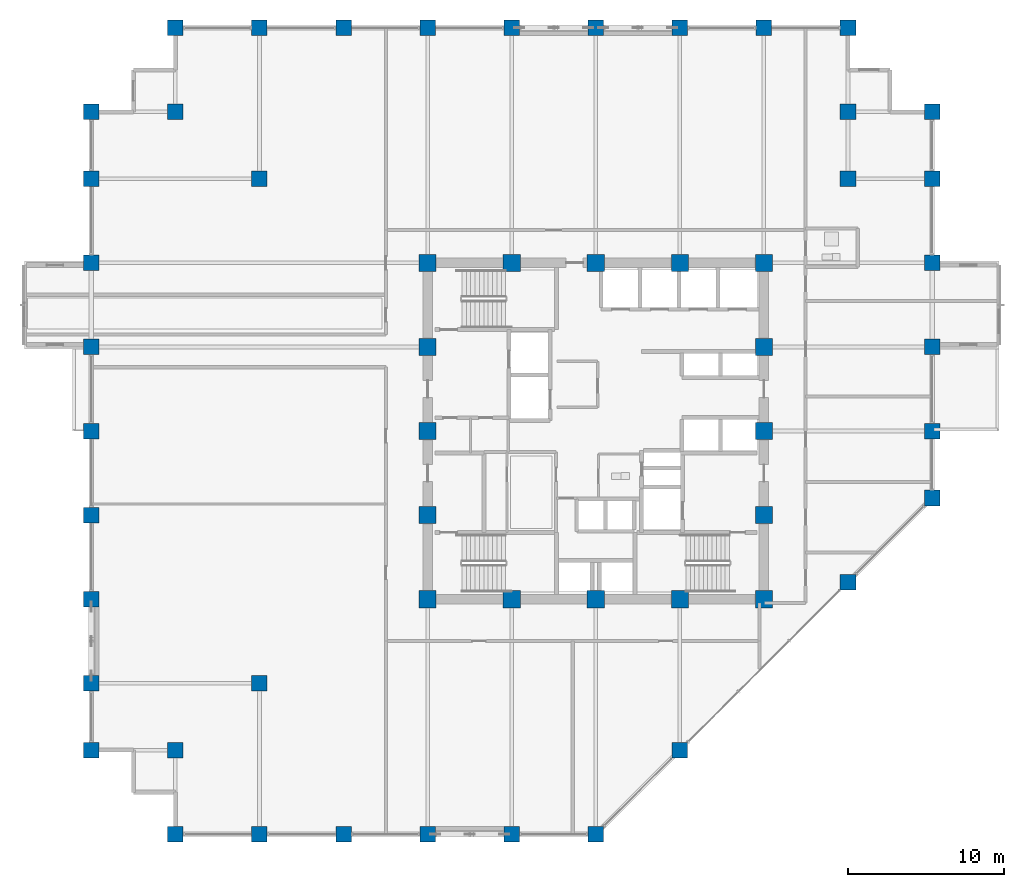
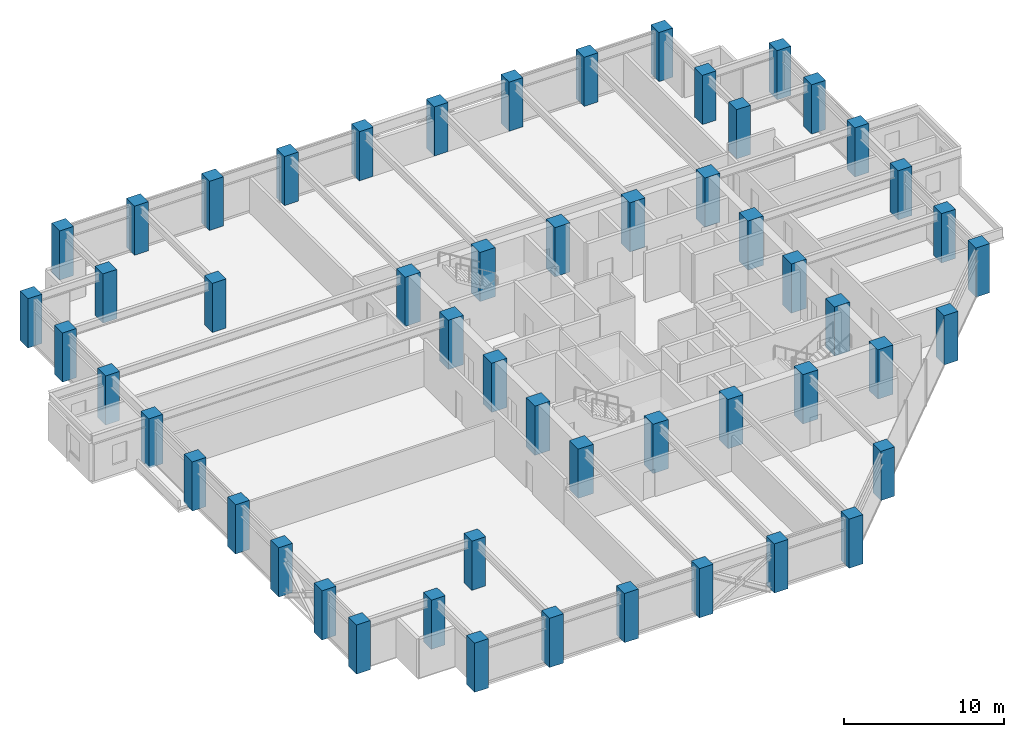
# One storey, part 1 of 29: 54 columns.
"""IFC4 building model written with IfcOpenShell, lengths in metres."""

from ifc_helpers import new_model, si_unit, direction, frame, origin, origin_2d, place, context, subcontext, project, spatial, rectangle, extrude, material, material_profile, profile_set, type_object, element, save


model = new_model("IFC4")

# Units and contexts
model_context = context("Model", 3, precision=1e-05, world=origin(), true_north=direction((0.0, 1.0)))
body_context = subcontext(model_context, "Body", "Model", "MODEL_VIEW")
ifc_project = project(units=[si_unit("LENGTHUNIT", "METRE"), si_unit("AREAUNIT", "SQUARE_METRE"), si_unit("VOLUMEUNIT", "CUBIC_METRE"), si_unit("PLANEANGLEUNIT", "RADIAN"), si_unit("MASSUNIT", "GRAM", prefix="KILO")], contexts=[model_context])

# Site, building, storey
site_placement = place(None, origin())
site = spatial("IfcSite", under=ifc_project, at=site_placement, CompositionType="ELEMENT")
building_placement = place(site_placement, origin())
building = spatial("IfcBuilding", under=site, at=building_placement, Name="Surkhivell Harbour Commons", CompositionType="ELEMENT")
storey_placement = place(building_placement, frame((0.0, 0.0, 150.75)))
storey = spatial("IfcBuildingStorey", under=building, at=storey_placement, Name="L39", CompositionType="ELEMENT", Elevation=150.75)

# Columns
ifc_material = material(Name="Concrete C60/75", Category="concrete")
ifc_material_profile_1 = material_profile(ifc_material, rectangle(XDim=1.10009765625, YDim=1.10009765625, at=origin_2d()), Name="RC-COL-1100x1100")
ifc_profile_set_1 = profile_set([ifc_material_profile_1], Name="Concrete C60/75")
column_type_1 = type_object("IfcColumnType", Name="COL-TUBE-Z2A", PredefinedType="COLUMN", material=ifc_profile_set_1)
for number, where, z_axis, x_axis, name in (
    (1, (-10.800048828125, -10.800048828125, 0.0), (0.0, 0.0, 1.0), (1.0, 0.0, 0.0), "L39 Column CT-2A (-10.8,-10.8)"),
    (2, (-10.800048828125, -5.39990234375, 0.0), (0.0, 0.0, 1.0), (1.0, 0.0, 0.0), "L39 Column CT-2A (-10.8,-5.4)"),
    (3, (-10.800048828125, 0.0, 0.0), (0.0, 0.0, 1.0), (1.0, 0.0, 0.0), "L39 Column CT-2A (-10.8,0.0)"),
    (4, (-10.800048828125, 5.39990234375, 0.0), (0.0, 0.0, 1.0), (1.0, 0.0, 0.0), "L39 Column CT-2A (-10.8,5.4)"),
    (5, (-10.800048828125, 10.800048828125, 0.0), (0.0, 0.0, 1.0), (1.0, 0.0, 0.0), "L39 Column CT-2A (-10.8,10.8)"),
    (6, (-5.39990234375, -10.800048828125, 0.0), (0.0, 0.0, 1.0), (1.0, 0.0, 0.0), "L39 Column CT-2A (-5.4,-10.8)"),
    (7, (-5.39990234375, 10.800048828125, 0.0), (0.0, 0.0, 1.0), (1.0, 0.0, 0.0), "L39 Column CT-2A (-5.4,10.8)"),
    (8, (0.0, -10.800048828125, 0.0), (0.0, 0.0, 1.0), (1.0, 0.0, 0.0), "L39 Column CT-2A (0.0,-10.8)"),
    (9, (0.0, 10.800048828125, 0.0), (0.0, 0.0, 1.0), (1.0, 0.0, 0.0), "L39 Column CT-2A (0.0,10.8)"),
    (10, (5.39990234375, -10.800048828125, 0.0), (0.0, 0.0, 1.0), (1.0, 0.0, 0.0), "L39 Column CT-2A (5.4,-10.8)"),
    (11, (5.39990234375, 10.800048828125, 0.0), (0.0, 0.0, 1.0), (1.0, 0.0, 0.0), "L39 Column CT-2A (5.4,10.8)"),
    (12, (10.800048828125, -10.800048828125, 0.0), (0.0, 0.0, 1.0), (1.0, 0.0, 0.0), "L39 Column CT-2A (10.8,-10.8)"),
    (13, (10.800048828125, -5.39990234375, 0.0), (0.0, 0.0, 1.0), (1.0, 0.0, 0.0), "L39 Column CT-2A (10.8,-5.4)"),
    (14, (10.800048828125, 0.0, 0.0), (0.0, 0.0, 1.0), (1.0, 0.0, 0.0), "L39 Column CT-2A (10.8,0.0)"),
    (15, (10.800048828125, 5.39990234375, 0.0), (0.0, 0.0, 1.0), (1.0, 0.0, 0.0), "L39 Column CT-2A (10.8,5.4)"),
    (16, (10.800048828125, 10.800048828125, 0.0), (0.0, 0.0, 1.0), (1.0, 0.0, 0.0), "L39 Column CT-2A (10.8,10.8)"),
):
    element("IfcColumn", number, at=place(storey_placement, frame(where, z_axis=z_axis, x_axis=x_axis)), inside=storey, type_object=column_type_1, Name=name, PredefinedType="COLUMN", context=body_context, shape_type="SweptSolid", body=[
        extrude(rectangle(XDim=1.10009765625, YDim=1.10009765625, at=origin_2d()), origin(), (0.0, 0.0, 1.0), 3.75),
    ])
ifc_material_profile_2 = material_profile(ifc_material, rectangle(XDim=1.0, YDim=1.0, at=origin_2d()), Name="RC-COL-1000x1000")
ifc_profile_set_2 = profile_set([ifc_material_profile_2], Name="Concrete C60/75")
column_type_2 = type_object("IfcColumnType", Name="COL-TUBE-Z2B", PredefinedType="COLUMN", material=ifc_profile_set_2)
for number, where, z_axis, x_axis, name in (
    (17, (-32.39990234375, -20.5, 0.0), (0.0, 0.0, 1.0), (1.0, 0.0, 0.0), "L39 Column CT-2B (-32.4,-20.5)"),
    (18, (-32.39990234375, -16.199951171875, 0.0), (0.0, 0.0, 1.0), (1.0, 0.0, 0.0), "L39 Column CT-2B (-32.4,-16.2)"),
    (19, (-32.39990234375, -10.800048828125, 0.0), (0.0, 0.0, 1.0), (1.0, 0.0, 0.0), "L39 Column CT-2B (-32.4,-10.8)"),
    (20, (-32.39990234375, -5.39990234375, 0.0), (0.0, 0.0, 1.0), (1.0, 0.0, 0.0), "L39 Column CT-2B (-32.4,-5.4)"),
    (21, (-32.39990234375, 0.0, 0.0), (0.0, 0.0, 1.0), (1.0, 0.0, 0.0), "L39 Column CT-2B (-32.4,0.0)"),
    (22, (-32.39990234375, 5.39990234375, 0.0), (0.0, 0.0, 1.0), (1.0, 0.0, 0.0), "L39 Column CT-2B (-32.4,5.4)"),
    (23, (-32.39990234375, 10.800048828125, 0.0), (0.0, 0.0, 1.0), (1.0, 0.0, 0.0), "L39 Column CT-2B (-32.4,10.8)"),
    (24, (-32.39990234375, 16.199951171875, 0.0), (0.0, 0.0, 1.0), (1.0, 0.0, 0.0), "L39 Column CT-2B (-32.4,16.2)"),
    (25, (-32.39990234375, 20.5, 0.0), (0.0, 0.0, 1.0), (1.0, 0.0, 0.0), "L39 Column CT-2B (-32.4,20.5)"),
    (26, (-27.0, -25.89990234375, 0.0), (0.0, 0.0, 1.0), (1.0, 0.0, 0.0), "L39 Column CT-2B (-27.0,-25.9)"),
    (27, (-27.0, -20.5, 0.0), (0.0, 0.0, 1.0), (1.0, 0.0, 0.0), "L39 Column CT-2B (-27.0,-20.5)"),
    (28, (-27.0, 20.5, 0.0), (0.0, 0.0, 1.0), (1.0, 0.0, 0.0), "L39 Column CT-2B (-27.0,20.5)"),
    (29, (-27.0, 25.89990234375, 0.0), (0.0, 0.0, 1.0), (1.0, 0.0, 0.0), "L39 Column CT-2B (-27.0,25.9)"),
    (30, (-21.60009765625, -25.89990234375, 0.0), (0.0, 0.0, 1.0), (1.0, 0.0, 0.0), "L39 Column CT-2B (-21.6,-25.9)"),
    (31, (-21.60009765625, -16.199951171875, 0.0), (0.0, 0.0, 1.0), (1.0, 0.0, 0.0), "L39 Column CT-2B (-21.6,-16.2)"),
    (32, (-21.60009765625, 16.199951171875, 0.0), (0.0, 0.0, 1.0), (1.0, 0.0, 0.0), "L39 Column CT-2B (-21.6,16.2)"),
    (33, (-21.60009765625, 25.89990234375, 0.0), (0.0, 0.0, 1.0), (1.0, 0.0, 0.0), "L39 Column CT-2B (-21.6,25.9)"),
    (34, (-16.199951171875, -25.89990234375, 0.0), (0.0, 0.0, 1.0), (1.0, 0.0, 0.0), "L39 Column CT-2B (-16.2,-25.9)"),
    (35, (-16.199951171875, 25.89990234375, 0.0), (0.0, 0.0, 1.0), (1.0, 0.0, 0.0), "L39 Column CT-2B (-16.2,25.9)"),
    (36, (-10.800048828125, -25.89990234375, 0.0), (0.0, 0.0, 1.0), (1.0, 0.0, 0.0), "L39 Column CT-2B (-10.8,-25.9)"),
    (37, (-10.800048828125, 25.89990234375, 0.0), (0.0, 0.0, 1.0), (1.0, 0.0, 0.0), "L39 Column CT-2B (-10.8,25.9)"),
    (38, (-5.39990234375, -25.89990234375, 0.0), (0.0, 0.0, 1.0), (1.0, 0.0, 0.0), "L39 Column CT-2B (-5.4,-25.9)"),
    (39, (-5.39990234375, 25.89990234375, 0.0), (0.0, 0.0, 1.0), (1.0, 0.0, 0.0), "L39 Column CT-2B (-5.4,25.9)"),
    (40, (0.0, -25.89990234375, 0.0), (0.0, 0.0, 1.0), (1.0, 0.0, 0.0), "L39 Column CT-2B (-0.0,-25.9)"),
    (41, (0.0, 25.89990234375, 0.0), (0.0, 0.0, 1.0), (1.0, 0.0, 0.0), "L39 Column CT-2B (-0.0,25.9)"),
    (42, (5.39990234375, -20.5, 0.0), (0.0, 0.0, 1.0), (1.0, 0.0, 0.0), "L39 Column CT-2B (5.4,-20.5)"),
    (43, (5.39990234375, 25.89990234375, 0.0), (0.0, 0.0, 1.0), (1.0, 0.0, 0.0), "L39 Column CT-2B (5.4,25.9)"),
    (44, (10.800048828125, 25.89990234375, 0.0), (0.0, 0.0, 1.0), (1.0, 0.0, 0.0), "L39 Column CT-2B (10.8,25.9)"),
    (45, (16.199951171875, -9.699951171875, 0.0), (0.0, 0.0, 1.0), (1.0, 0.0, 0.0), "L39 Column CT-2B (16.2,-9.7)"),
    (46, (16.199951171875, 16.199951171875, 0.0), (0.0, 0.0, 1.0), (1.0, 0.0, 0.0), "L39 Column CT-2B (16.2,16.2)"),
    (47, (16.199951171875, 20.5, 0.0), (0.0, 0.0, 1.0), (1.0, 0.0, 0.0), "L39 Column CT-2B (16.2,20.5)"),
    (48, (16.199951171875, 25.89990234375, 0.0), (0.0, 0.0, 1.0), (1.0, 0.0, 0.0), "L39 Column CT-2B (16.2,25.9)"),
    (49, (21.60009765625, -4.300048828125, 0.0), (0.0, 0.0, 1.0), (1.0, 0.0, 0.0), "L39 Column CT-2B (21.6,-4.3)"),
    (50, (21.60009765625, 0.0, 0.0), (0.0, 0.0, 1.0), (1.0, 0.0, 0.0), "L39 Column CT-2B (21.6,0.0)"),
    (51, (21.60009765625, 5.39990234375, 0.0), (0.0, 0.0, 1.0), (1.0, 0.0, 0.0), "L39 Column CT-2B (21.6,5.4)"),
    (52, (21.60009765625, 10.800048828125, 0.0), (0.0, 0.0, 1.0), (1.0, 0.0, 0.0), "L39 Column CT-2B (21.6,10.8)"),
    (53, (21.60009765625, 16.199951171875, 0.0), (0.0, 0.0, 1.0), (1.0, 0.0, 0.0), "L39 Column CT-2B (21.6,16.2)"),
    (54, (21.60009765625, 20.5, 0.0), (0.0, 0.0, 1.0), (1.0, 0.0, 0.0), "L39 Column CT-2B (21.6,20.5)"),
):
    element("IfcColumn", number, at=place(storey_placement, frame(where, z_axis=z_axis, x_axis=x_axis)), inside=storey, type_object=column_type_2, Name=name, PredefinedType="COLUMN", context=body_context, shape_type="SweptSolid", body=[
        extrude(rectangle(XDim=1.0, YDim=1.0, at=origin_2d()), origin(), (0.0, 0.0, 1.0), 3.75),
    ])

save(model, "model.ifc")
